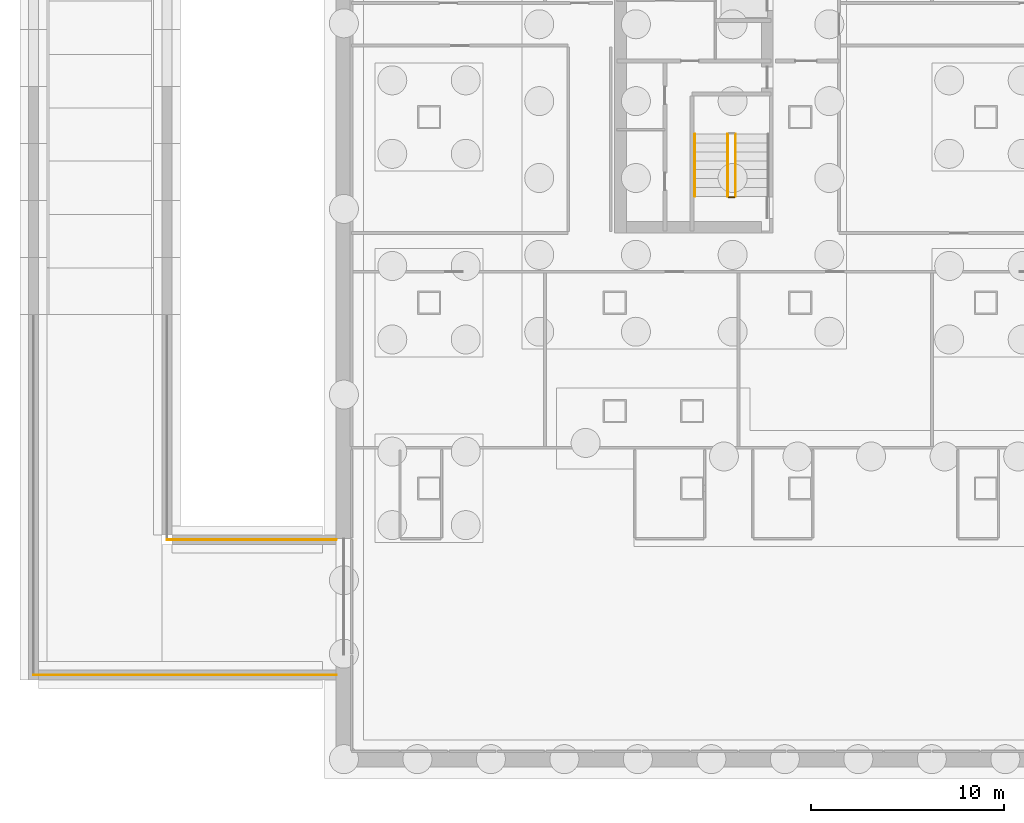
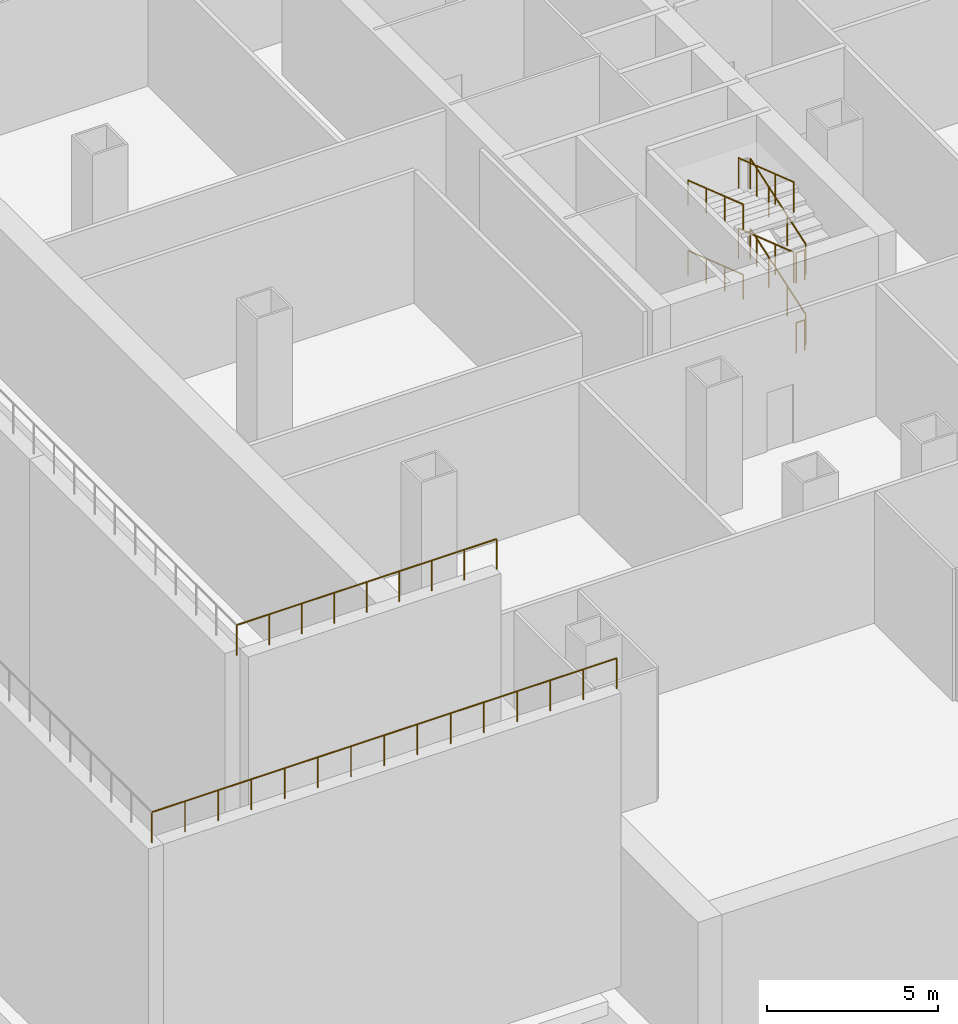
# One storey, part 13 of 17: 10 railings.
"""IFC4 building model written with IfcOpenShell, lengths in metres."""

from ifc_helpers import new_model, si_unit, direction, frame, origin, origin_2d, place, context, subcontext, project, spatial, circle, extrude, material, type_object, element, save


model = new_model("IFC4")

# Units and contexts
model_context = context("Model", 3, precision=1e-05, world=origin(), true_north=direction((0.0, 1.0)))
body_context = subcontext(model_context, "Body", "Model", "MODEL_VIEW")
ifc_project = project(units=[si_unit("LENGTHUNIT", "METRE"), si_unit("AREAUNIT", "SQUARE_METRE"), si_unit("VOLUMEUNIT", "CUBIC_METRE"), si_unit("PLANEANGLEUNIT", "RADIAN"), si_unit("MASSUNIT", "GRAM", prefix="KILO")], contexts=[model_context])

# Site, building, storey
site_placement = place(None, origin())
site = spatial("IfcSite", under=ifc_project, at=site_placement, CompositionType="ELEMENT")
building_placement = place(site_placement, origin())
building = spatial("IfcBuilding", under=site, at=building_placement, Name="Cobrizo Arcos Hotel Tower", CompositionType="ELEMENT")
storey_placement = place(building_placement, frame((0.0, 0.0, -10.0)))
storey = spatial("IfcBuildingStorey", under=building, at=storey_placement, Name="B2", CompositionType="ELEMENT", Elevation=-10.0)

# Railings
ifc_material = material(Name="Stainless steel railing", Category="steel")
railing_type_1 = type_object("IfcRailingType", Name="Ramp edge guard 1100", PredefinedType="GUARDRAIL", material=ifc_material)
railing_1_placement = place(storey_placement, frame((-54.050048828125, -33.64990234375, 10.14990234375)))
element("IfcRailing", 1, at=railing_1_placement, inside=storey, type_object=railing_type_1, Name="Ramp edge guard street 3", PredefinedType="GUARDRAIL", context=body_context, shape_type="SweptSolid", body=[
    extrude(circle(Radius=0.02392578125, at=origin_2d()), frame((0.0, 0.0, 1.076171875), z_axis=(1.0, 0.0, 0.0), x_axis=(0.0, 1.0, 0.0)), (0.0, 0.0, 1.0), 15.650146484375),
    extrude(circle(Radius=0.02099609375, at=origin_2d()), origin(), (0.0, 0.0, 1.0), 1.052001953125),
    extrude(circle(Radius=0.02099609375, at=origin_2d()), frame((1.117919921875, 0.0, 0.0)), (0.0, 0.0, 1.0), 1.052001953125),
    extrude(circle(Radius=0.02099609375, at=origin_2d()), frame((2.23583984375, 0.0, 0.0)), (0.0, 0.0, 1.0), 1.052001953125),
    extrude(circle(Radius=0.02099609375, at=origin_2d()), frame((3.353515625, 0.0, 0.0)), (0.0, 0.0, 1.0), 1.052001953125),
    extrude(circle(Radius=0.02099609375, at=origin_2d()), frame((4.471435546875, 0.0, 0.0)), (0.0, 0.0, 1.0), 1.052001953125),
    extrude(circle(Radius=0.02099609375, at=origin_2d()), frame((5.58935546875, 0.0, 0.0)), (0.0, 0.0, 1.0), 1.052001953125),
    extrude(circle(Radius=0.02099609375, at=origin_2d()), frame((6.707275390625, 0.0, 0.0)), (0.0, 0.0, 1.0), 1.052001953125),
    extrude(circle(Radius=0.02099609375, at=origin_2d()), frame((7.8251953125, 0.0, 0.0)), (0.0, 0.0, 1.0), 1.052001953125),
    extrude(circle(Radius=0.02099609375, at=origin_2d()), frame((8.94287109375, 0.0, 0.0)), (0.0, 0.0, 1.0), 1.052001953125),
    extrude(circle(Radius=0.02099609375, at=origin_2d()), frame((10.060791015625, 0.0, 0.0)), (0.0, 0.0, 1.0), 1.052001953125),
    extrude(circle(Radius=0.02099609375, at=origin_2d()), frame((11.1787109375, 0.0, 0.0)), (0.0, 0.0, 1.0), 1.052001953125),
    extrude(circle(Radius=0.02099609375, at=origin_2d()), frame((12.296630859375, 0.0, 0.0)), (0.0, 0.0, 1.0), 1.052001953125),
    extrude(circle(Radius=0.02099609375, at=origin_2d()), frame((13.414306640625, 0.0, 0.0)), (0.0, 0.0, 1.0), 1.052001953125),
    extrude(circle(Radius=0.02099609375, at=origin_2d()), frame((14.5322265625, 0.0, 0.0)), (0.0, 0.0, 1.0), 1.052001953125),
    extrude(circle(Radius=0.02099609375, at=origin_2d()), frame((15.650146484375, 0.0, 0.0)), (0.0, 0.0, 1.0), 1.052001953125),
])
railing_2_placement = place(storey_placement, frame((-47.14990234375, -26.64990234375, 10.14990234375)))
element("IfcRailing", 2, at=railing_2_placement, inside=storey, type_object=railing_type_1, Name="Ramp edge guard inner south 3", PredefinedType="GUARDRAIL", context=body_context, shape_type="SweptSolid", body=[
    extrude(circle(Radius=0.02392578125, at=origin_2d()), frame((0.0, 0.0, 1.076171875), z_axis=(1.0, 0.0, 0.0), x_axis=(0.0, 1.0, 0.0)), (0.0, 0.0, 1.0), 8.75),
    extrude(circle(Radius=0.02099609375, at=origin_2d()), origin(), (0.0, 0.0, 1.0), 1.052001953125),
    extrude(circle(Radius=0.02099609375, at=origin_2d()), frame((1.09375, 0.0, 0.0)), (0.0, 0.0, 1.0), 1.052001953125),
    extrude(circle(Radius=0.02099609375, at=origin_2d()), frame((2.1875, 0.0, 0.0)), (0.0, 0.0, 1.0), 1.052001953125),
    extrude(circle(Radius=0.02099609375, at=origin_2d()), frame((3.28125, 0.0, 0.0)), (0.0, 0.0, 1.0), 1.052001953125),
    extrude(circle(Radius=0.02099609375, at=origin_2d()), frame((4.375, 0.0, 0.0)), (0.0, 0.0, 1.0), 1.052001953125),
    extrude(circle(Radius=0.02099609375, at=origin_2d()), frame((5.46875, 0.0, 0.0)), (0.0, 0.0, 1.0), 1.052001953125),
    extrude(circle(Radius=0.02099609375, at=origin_2d()), frame((6.5625, 0.0, 0.0)), (0.0, 0.0, 1.0), 1.052001953125),
    extrude(circle(Radius=0.02099609375, at=origin_2d()), frame((7.65625, 0.0, 0.0)), (0.0, 0.0, 1.0), 1.052001953125),
    extrude(circle(Radius=0.02099609375, at=origin_2d()), frame((8.75, 0.0, 0.0)), (0.0, 0.0, 1.0), 1.052001953125),
])
railing_type_2 = type_object("IfcRailingType", Name="Stair guard 1100", PredefinedType="GUARDRAIL", material=ifc_material)
railing_3_placement = place(storey_placement, frame((-17.75, -8.89990234375, 0.15625)))
element("IfcRailing", 3, at=railing_3_placement, inside=storey, type_object=railing_type_2, Name="B2 ST-W stair guard 1", PredefinedType="GUARDRAIL", context=body_context, shape_type="SweptSolid", body=[
    extrude(circle(Radius=0.02392578125, at=origin_2d()), frame((0.0, 0.0, 1.076171875), z_axis=(0.0, 0.946865913867, 0.321628576399), x_axis=(-1.0, 0.0, 0.0)), (0.0, 0.0, 1.0), 3.400634765625),
    extrude(circle(Radius=0.02099609375, at=origin_2d()), origin(), (0.0, 0.0, 1.0), 1.052001953125),
    extrude(circle(Radius=0.02099609375, at=origin_2d()), frame((0.0, 1.0732421875, 0.364501953125)), (0.0, 0.0, 1.0), 1.052001953125),
    extrude(circle(Radius=0.02099609375, at=origin_2d()), frame((0.0, 2.146728515625, 0.729248046875)), (0.0, 0.0, 1.0), 1.052001953125),
    extrude(circle(Radius=0.02099609375, at=origin_2d()), frame((0.0, 3.219970703125, 1.09375)), (0.0, 0.0, 1.0), 1.052001953125),
])
railing_4_placement = place(storey_placement, frame((-18.14990234375, -5.679931640625, 1.40625)))
element("IfcRailing", 4, at=railing_4_placement, inside=storey, type_object=railing_type_2, Name="B2 ST-W stair guard 3", PredefinedType="GUARDRAIL", context=body_context, shape_type="SweptSolid", body=[
    extrude(circle(Radius=0.02392578125, at=origin_2d()), frame((0.0, 0.0, 1.076171875), z_axis=(0.0, -0.946865913867, 0.321628576399), x_axis=(1.0, 0.0, 0.0)), (0.0, 0.0, 1.0), 3.400634765625),
    extrude(circle(Radius=0.02099609375, at=origin_2d()), origin(), (0.0, 0.0, 1.0), 1.052001953125),
    extrude(circle(Radius=0.02099609375, at=origin_2d()), frame((0.0, -1.0732421875, 0.364501953125)), (0.0, 0.0, 1.0), 1.052001953125),
    extrude(circle(Radius=0.02099609375, at=origin_2d()), frame((0.0, -2.146728515625, 0.729248046875)), (0.0, 0.0, 1.0), 1.052001953125),
    extrude(circle(Radius=0.02099609375, at=origin_2d()), frame((0.0, -3.219970703125, 1.09375)), (0.0, 0.0, 1.0), 1.052001953125),
])
railing_5_placement = place(storey_placement, frame((-17.800048828125, -8.949951171875, 2.5)))
element("IfcRailing", 5, at=railing_5_placement, inside=storey, type_object=railing_type_2, Name="B2 ST-W stair guard 4", PredefinedType="GUARDRAIL", context=body_context, shape_type="SweptSolid", body=[
    extrude(circle(Radius=0.02392578125, at=origin_2d()), frame((0.0, 0.0, 1.076171875), z_axis=(-1.0, 0.0, 0.0), x_axis=(0.0, -1.0, 0.0)), (0.0, 0.0, 1.0), 0.300048828125),
    extrude(circle(Radius=0.02099609375, at=origin_2d()), origin(), (0.0, 0.0, 1.0), 1.052001953125),
    extrude(circle(Radius=0.02099609375, at=origin_2d()), frame((-0.300048828125, 0.0, 0.0)), (0.0, 0.0, 1.0), 1.052001953125),
])
railing_6_placement = place(storey_placement, frame((-17.75, -8.89990234375, 2.65625)))
element("IfcRailing", 6, at=railing_6_placement, inside=storey, type_object=railing_type_2, Name="B2 ST-W stair guard 5", PredefinedType="GUARDRAIL", context=body_context, shape_type="SweptSolid", body=[
    extrude(circle(Radius=0.02392578125, at=origin_2d()), frame((0.0, 0.0, 1.076171875), z_axis=(0.0, 0.946865913867, 0.321628576399), x_axis=(-1.0, 0.0, 0.0)), (0.0, 0.0, 1.0), 3.400634765625),
    extrude(circle(Radius=0.02099609375, at=origin_2d()), origin(), (0.0, 0.0, 1.0), 1.052001953125),
    extrude(circle(Radius=0.02099609375, at=origin_2d()), frame((0.0, 1.0732421875, 0.364501953125)), (0.0, 0.0, 1.0), 1.052001953125),
    extrude(circle(Radius=0.02099609375, at=origin_2d()), frame((0.0, 2.146728515625, 0.729248046875)), (0.0, 0.0, 1.0), 1.052001953125),
    extrude(circle(Radius=0.02099609375, at=origin_2d()), frame((0.0, 3.219970703125, 1.09375)), (0.0, 0.0, 1.0), 1.052001953125),
])
railing_7_placement = place(storey_placement, frame((-18.14990234375, -5.679931640625, 3.90625)))
element("IfcRailing", 7, at=railing_7_placement, inside=storey, type_object=railing_type_2, Name="B2 ST-W stair guard 7", PredefinedType="GUARDRAIL", context=body_context, shape_type="SweptSolid", body=[
    extrude(circle(Radius=0.02392578125, at=origin_2d()), frame((0.0, 0.0, 1.076171875), z_axis=(0.0, -0.946865913867, 0.321628576399), x_axis=(1.0, 0.0, 0.0)), (0.0, 0.0, 1.0), 3.400634765625),
    extrude(circle(Radius=0.02099609375, at=origin_2d()), origin(), (0.0, 0.0, 1.0), 1.052001953125),
    extrude(circle(Radius=0.02099609375, at=origin_2d()), frame((0.0, -1.0732421875, 0.364501953125)), (0.0, 0.0, 1.0), 1.052001953125),
    extrude(circle(Radius=0.02099609375, at=origin_2d()), frame((0.0, -2.146728515625, 0.729248046875)), (0.0, 0.0, 1.0), 1.052001953125),
    extrude(circle(Radius=0.02099609375, at=origin_2d()), frame((0.0, -3.219970703125, 1.09375)), (0.0, 0.0, 1.0), 1.052001953125),
])
railing_8_placement = place(storey_placement, frame((-17.800048828125, -8.949951171875, 0.0)))
element("IfcRailing", 8, at=railing_8_placement, inside=storey, type_object=railing_type_2, Name="B2 ST-W stair guard 8", PredefinedType="GUARDRAIL", context=body_context, shape_type="SweptSolid", body=[
    extrude(circle(Radius=0.02392578125, at=origin_2d()), frame((0.0, 0.0, 1.076171875), z_axis=(-1.0, 0.0, 0.0), x_axis=(0.0, -1.0, 0.0)), (0.0, 0.0, 1.0), 0.300048828125),
    extrude(circle(Radius=0.02099609375, at=origin_2d()), origin(), (0.0, 0.0, 1.0), 1.052001953125),
    extrude(circle(Radius=0.02099609375, at=origin_2d()), frame((-0.300048828125, 0.0, 0.0)), (0.0, 0.0, 1.0), 1.052001953125),
])
railing_type_3 = type_object("IfcRailingType", Name="Stair handrail", PredefinedType="HANDRAIL", material=ifc_material)
for number, where, name in (
    (9, (-19.85009765625, -5.679931640625, 1.40625), "B2 ST-W stair handrail 2"),
    (10, (-19.85009765625, -5.679931640625, 3.90625), "B2 ST-W stair handrail 4"),
):
    element("IfcRailing", number, at=place(storey_placement, frame(where)), inside=storey, type_object=railing_type_3, Name=name, PredefinedType="HANDRAIL", context=body_context, shape_type="SweptSolid", body=[
        extrude(circle(Radius=0.02392578125, at=origin_2d()), frame((0.0, 0.0, 0.8759765625), z_axis=(0.0, -0.946865913867, 0.321628576399), x_axis=(1.0, 0.0, 0.0)), (0.0, 0.0, 1.0), 3.400634765625),
        extrude(circle(Radius=0.02099609375, at=origin_2d()), origin(), (0.0, 0.0, 1.0), 0.851806640625),
        extrude(circle(Radius=0.02099609375, at=origin_2d()), frame((0.0, -1.0732421875, 0.364501953125)), (0.0, 0.0, 1.0), 0.851806640625),
        extrude(circle(Radius=0.02099609375, at=origin_2d()), frame((0.0, -2.146728515625, 0.729248046875)), (0.0, 0.0, 1.0), 0.851806640625),
        extrude(circle(Radius=0.02099609375, at=origin_2d()), frame((0.0, -3.219970703125, 1.09375)), (0.0, 0.0, 1.0), 0.851806640625),
    ])

save(model, "model.ifc")
